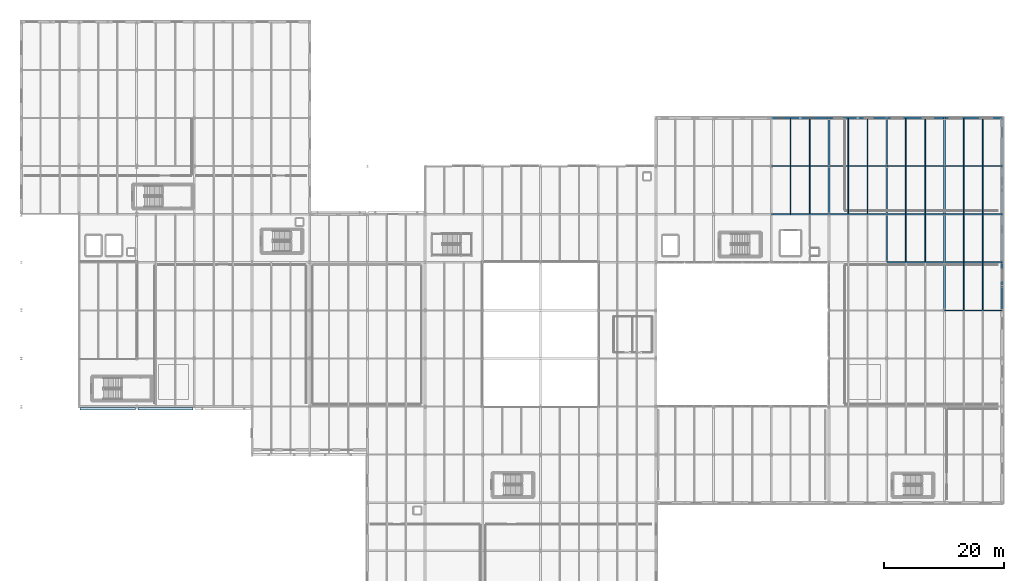
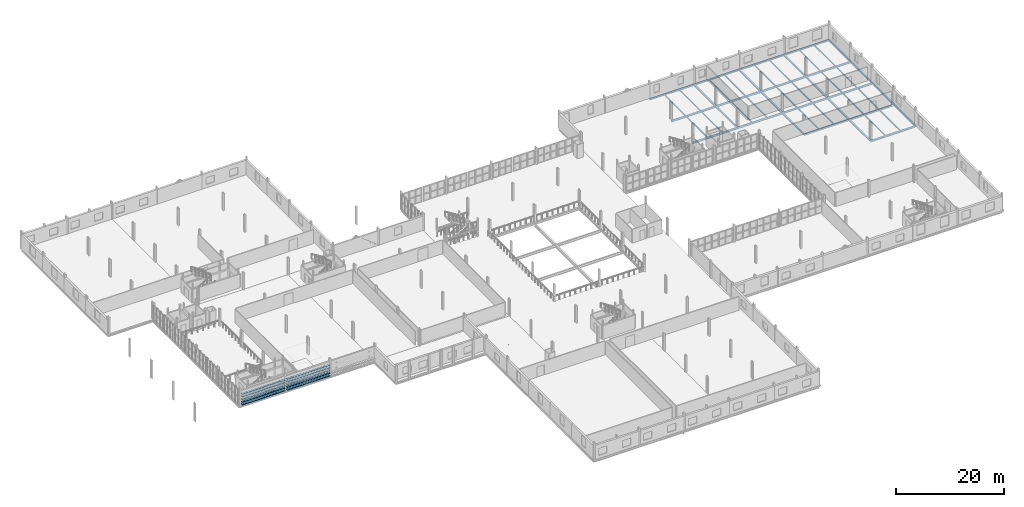
# One storey, part 47 of 78: 50 beams, 10 plates.
"""IFC4 building model written with IfcOpenShell, lengths in metres."""

import ifcopenshell
import ifcopenshell.guid

model = None  # the IFC model being written
_history = None  # IfcOwnerHistory: only IFC2X3 demands one
_inside = {}  # id of a spatial element -> (the spatial element, [elements in it])
_under = {}  # id of a project, library or spatial element -> (it, [spatial elements below it])
_declared = {}  # id of a project -> (the project, [libraries it declares])
_typed = {}  # id of a type object -> (the type object, [elements of that type])
_made_of = {}  # id of a material, layer set ... -> (it, [elements and type objects made of it])


def new_model(schema):
    """Start an empty IFC model of exactly this schema.

    Asked for "IFC4X3", IfcOpenShell would pick the latest addendum, in which some entities
    have other attributes; the version numbers below select the first issue.
    IFC2X3 requires an IfcOwnerHistory on every rooted entity: one is made here for all.
    """
    global model, _history
    if schema == "IFC4X3":
        model = ifcopenshell.file(schema_version=(4, 3, 0, 0))
    else:
        model = ifcopenshell.file(schema=schema)
    _inside.clear()
    _under.clear()
    _declared.clear()
    _typed.clear()
    _made_of.clear()
    _history = None
    if model.schema == "IFC2X3":
        org = make("IfcOrganization", Name="unknown")
        user = make(
            "IfcPersonAndOrganization",
            ThePerson=make("IfcPerson", FamilyName="unknown"),
            TheOrganization=org,
        )
        app = make(
            "IfcApplication",
            ApplicationDeveloper=org,
            Version="unknown",
            ApplicationFullName="unknown",
            ApplicationIdentifier="unknown",
        )
        _history = make(
            "IfcOwnerHistory",
            OwningUser=user,
            OwningApplication=app,
            ChangeAction="ADDED",
            CreationDate=0,
        )
    return model


def make(cls, **values):
    """One entity of the class cls with the attributes given. An attribute that is None is left unset."""
    return model.create_entity(
        cls, **{name: value for name, value in values.items() if value is not None}
    )


def rooted(cls, **values):
    """An entity with a GlobalId (a new one), such as an element, a storey or a relation."""
    return make(cls, GlobalId=ifcopenshell.guid.new(), OwnerHistory=_history, **values)


def si_unit(unit_type, name, prefix=None):
    """IfcSIUnit, for example si_unit("LENGTHUNIT", "METRE", prefix="MILLI")."""
    return make("IfcSIUnit", UnitType=unit_type, Prefix=prefix, Name=name)


def assignment(units):
    """IfcUnitAssignment: the units of a project."""
    return None if units is None else make("IfcUnitAssignment", Units=units)


def point(xyz):
    """IfcCartesianPoint."""
    return None if xyz is None else make("IfcCartesianPoint", Coordinates=xyz)


def direction(xyz):
    """IfcDirection."""
    return None if xyz is None else make("IfcDirection", DirectionRatios=xyz)


def frame(location, z_axis=None, x_axis=None):
    """IfcAxis2Placement3D, a coordinate frame: its origin and axes. An axis left out is left unset."""
    return make(
        "IfcAxis2Placement3D",
        Location=point(location),
        Axis=direction(z_axis),
        RefDirection=direction(x_axis),
    )


def frame_2d(location, x_axis=None):
    """IfcAxis2Placement2D, a coordinate frame in the plane: its origin and x axis."""
    return make(
        "IfcAxis2Placement2D", Location=point(location), RefDirection=direction(x_axis)
    )


def origin():
    """The frame at (0, 0, 0) with its axes left unset."""
    return frame((0.0, 0.0, 0.0))


def origin_2d():
    """The frame at (0, 0) in the plane with its x axis left unset."""
    return frame_2d((0.0, 0.0))


def place(relative_to, where):
    """IfcLocalPlacement: puts the frame where relative to a parent placement (None: the world)."""
    return make(
        "IfcLocalPlacement", PlacementRelTo=relative_to, RelativePlacement=where
    )


def context(
    kind, dimensions, precision=None, world=None, true_north=None, identifier=None
):
    """IfcGeometricRepresentationContext, for example the 3D "Model" context."""
    return make(
        "IfcGeometricRepresentationContext",
        ContextIdentifier=identifier,
        ContextType=kind,
        CoordinateSpaceDimension=dimensions,
        Precision=precision,
        WorldCoordinateSystem=world,
        TrueNorth=true_north,
    )


def subcontext(parent, identifier, kind, view, scale=None):
    """IfcGeometricRepresentationSubContext, for example "Body" below "Model"."""
    return make(
        "IfcGeometricRepresentationSubContext",
        ContextIdentifier=identifier,
        ContextType=kind,
        ParentContext=parent,
        TargetScale=scale,
        TargetView=view,
    )


def project(units=None, contexts=None):
    """IfcProject with its units and contexts."""
    return rooted(
        "IfcProject",
        Name="project",
        RepresentationContexts=contexts,
        UnitsInContext=assignment(units),
    )


def spatial(cls, under=None, at=None, **own):
    """A site, building, storey or space (cls), placed at a placement, below another one or the project."""
    s = rooted(cls, ObjectPlacement=at, **own)
    if under is not None:
        _under.setdefault(under.id(), (under, []))[1].append(s)
    return s


def profile(cls, at=None, kind="AREA", **sizes):
    """A parametric profile (cls). Its sizes go by their IFC names, for example OverallWidth=200.0."""
    return make(cls, ProfileType=kind, Position=at, **sizes)


def rectangle(**sizes):
    """IfcRectangleProfileDef."""
    return profile("IfcRectangleProfileDef", **sizes)


def i_section(**sizes):
    """IfcIShapeProfileDef."""
    return profile("IfcIShapeProfileDef", **sizes)


def extrude(swept, where, along, depth):
    """IfcExtrudedAreaSolid: the profile swept, set in the frame where, extruded along a direction by depth."""
    return make(
        "IfcExtrudedAreaSolid",
        SweptArea=swept,
        Position=where,
        ExtrudedDirection=direction(along),
        Depth=depth,
    )


def shape(context_of_items, identifier, shape_type, items):
    """IfcShapeRepresentation: the items that make up one representation, for example the "Body"."""
    return make(
        "IfcShapeRepresentation",
        ContextOfItems=context_of_items,
        RepresentationIdentifier=identifier,
        RepresentationType=shape_type,
        Items=items,
    )


def material(Name=None, Category=None):
    """IfcMaterial."""
    return make("IfcMaterial", Name=Name, Category=Category)


def layer(
    of_material, thickness, ventilated=None, Name=None, Category=None, Priority=None
):
    """IfcMaterialLayer: one layer of a wall or slab, of a material (None: an air gap)."""
    return make(
        "IfcMaterialLayer",
        Material=of_material,
        LayerThickness=thickness,
        IsVentilated=ventilated,
        Name=Name,
        Category=Category,
        Priority=Priority,
    )


def layer_set(layers, Name=None):
    """IfcMaterialLayerSet."""
    return make("IfcMaterialLayerSet", MaterialLayers=layers, LayerSetName=Name)


def material_profile(
    of_material, cross_section, Name=None, Category=None, Priority=None
):
    """IfcMaterialProfile: a cross section and its material."""
    return make(
        "IfcMaterialProfile",
        Name=Name,
        Material=of_material,
        Profile=cross_section,
        Priority=Priority,
        Category=Category,
    )


def profile_set(profiles, Name=None, composite=None):
    """IfcMaterialProfileSet."""
    return make(
        "IfcMaterialProfileSet",
        Name=Name,
        MaterialProfiles=profiles,
        CompositeProfile=composite,
    )


def made_of(thing, what):
    """Note that an element or type object is made of a material, layer set ...; save() writes the relation."""
    if what is not None:
        _made_of.setdefault(what.id(), (what, []))[1].append(thing)
    return thing


def type_object(cls, material=None, **own):
    """A type object (cls), such as IfcWallType, which elements share."""
    return made_of(rooted(cls, **own), material)


def element(
    cls,
    number,
    at=None,
    inside=None,
    cuts=None,
    type_object=None,
    material=None,
    context=None,
    identifier="Body",
    shape_type=None,
    held_by="IfcProductDefinitionShape",
    body=None,
    shapes=None,
    **own,
):
    """One element of the class cls, such as IfcWall. Its Tag is "e" and its number.

    at: its placement. inside: the storey or other place that contains it. cuts: it is an
    opening in that element (IfcRelVoidsElement). A single representation is given by context,
    identifier, shape_type and body (its items); several are given by shapes. held_by: the class
    of the entity that holds the representations. save() writes the other relations.
    """
    e = rooted(cls, Tag="e%d" % number, ObjectPlacement=at, **own)
    if body is not None:
        shapes = [shape(context, identifier, shape_type, body)]
    if shapes is not None:
        e.Representation = make(held_by, Representations=shapes)
    if inside is not None:
        _inside.setdefault(inside.id(), (inside, []))[1].append(e)
    if cuts is not None:
        rooted(
            "IfcRelVoidsElement", RelatingBuildingElement=cuts, RelatedOpeningElement=e
        )
    if type_object is not None:
        _typed.setdefault(type_object.id(), (type_object, []))[1].append(e)
    return made_of(e, material)


def aggregate(whole, parts):
    """IfcRelAggregates: a whole, such as a stair, and the parts it consists of."""
    return rooted("IfcRelAggregates", RelatingObject=whole, RelatedObjects=parts)


def save(model, path):
    """Write the relations noted so far, then the file.

    IfcRelAggregates (storeys below a building ...), IfcRelContainedInSpatialStructure (elements
    in a storey), IfcRelDefinesByType, IfcRelAssociatesMaterial and IfcRelDeclares: one each for
    every whole, place, type object, material and project.
    """
    for whole, parts in _under.values():
        aggregate(whole, parts)
    for where, things in _inside.values():
        rooted(
            "IfcRelContainedInSpatialStructure",
            RelatedElements=things,
            RelatingStructure=where,
        )
    for kind, things in _typed.values():
        rooted("IfcRelDefinesByType", RelatedObjects=things, RelatingType=kind)
    for what, things in _made_of.values():
        rooted("IfcRelAssociatesMaterial", RelatedObjects=things, RelatingMaterial=what)
    for by, libraries in _declared.values():
        rooted("IfcRelDeclares", RelatingContext=by, RelatedDefinitions=libraries)
    model.write(path)


model = new_model("IFC4")

# Units and contexts
model_context = context("Model", 3, precision=1e-05, world=origin(), true_north=direction((0.0, 1.0)))
body_context = subcontext(model_context, "Body", "Model", "MODEL_VIEW")
ifc_project = project(units=[si_unit("LENGTHUNIT", "METRE"), si_unit("AREAUNIT", "SQUARE_METRE"), si_unit("VOLUMEUNIT", "CUBIC_METRE"), si_unit("PLANEANGLEUNIT", "RADIAN"), si_unit("MASSUNIT", "GRAM", prefix="KILO")], contexts=[model_context])

# Site, building, storey
site_placement = place(None, origin())
site = spatial("IfcSite", under=ifc_project, at=site_placement, CompositionType="ELEMENT")
building_placement = place(site_placement, origin())
building = spatial("IfcBuilding", under=site, at=building_placement, Name="Alderhovde Museum", CompositionType="ELEMENT")
storey_placement = place(building_placement, frame((0.0, 0.0, 4.5)))
storey = spatial("IfcBuildingStorey", under=building, at=storey_placement, Name="L01", CompositionType="ELEMENT", Elevation=4.5)

# Beams
ifc_material_1 = material(Name="Steel S355J2", Category="steel")
ifc_material_profile_1 = material_profile(ifc_material_1, i_section(OverallWidth=0.300048828125, OverallDepth=0.330078125, WebThickness=0.009521484375, FlangeThickness=0.0166015625, FilletRadius=0.027099609375, at=origin_2d()), Name="HEA 340")
ifc_profile_set_1 = profile_set([ifc_material_profile_1], Name="Steel S355J2")
beam_type_1 = type_object("IfcBeamType", Name="BM-HEA340", PredefinedType="BEAM", material=ifc_profile_set_1)
for number, where, z_axis, x_axis, name in (
    (1, (144.0, 80.0, -0.425048828125), (0.0, 1.0, 0.0), (-1.0, 0.0, 0.0), "L01 Grid Beam X=144.0 (80.0 TO 88.0)"),
    (2, (144.0, 88.0, -0.425048828125), (0.0, 1.0, 0.0), (-1.0, 0.0, 0.0), "L01 Grid Beam X=144.0 (88.0 TO 96.0)"),
    (3, (153.60009765625, 72.0, -0.425048828125), (0.0, 1.0, 0.0), (-1.0, 0.0, 0.0), "L01 Grid Beam X=153.6 (72.0 TO 80.0)"),
    (4, (153.60009765625, 80.0, -0.425048828125), (0.0, 1.0, 0.0), (-1.0, 0.0, 0.0), "L01 Grid Beam X=153.6 (80.0 TO 88.0)"),
    (5, (153.60009765625, 88.0, -0.425048828125), (0.0, 1.0, 0.0), (-1.0, 0.0, 0.0), "L01 Grid Beam X=153.6 (88.0 TO 96.0)"),
    (6, (163.199951171875, 64.0, -0.425048828125), (0.0, 1.0, 0.0), (-1.0, 0.0, 0.0), "L01 Grid Beam X=163.2 (64.0 TO 72.0)"),
    (7, (163.199951171875, 72.0, -0.425048828125), (0.0, 1.0, 0.0), (-1.0, 0.0, 0.0), "L01 Grid Beam X=163.2 (72.0 TO 80.0)"),
    (8, (163.199951171875, 80.0, -0.425048828125), (0.0, 1.0, 0.0), (-1.0, 0.0, 0.0), "L01 Grid Beam X=163.2 (80.0 TO 88.0)"),
    (9, (163.199951171875, 88.0, -0.425048828125), (0.0, 1.0, 0.0), (-1.0, 0.0, 0.0), "L01 Grid Beam X=163.2 (88.0 TO 96.0)"),
    (10, (172.800048828125, 64.0, -0.425048828125), (0.0, 1.0, 0.0), (-1.0, 0.0, 0.0), "L01 Grid Beam X=172.8 (64.0 TO 72.0)"),
    (11, (172.800048828125, 72.0, -0.425048828125), (0.0, 1.0, 0.0), (-1.0, 0.0, 0.0), "L01 Grid Beam X=172.8 (72.0 TO 80.0)"),
    (12, (172.800048828125, 80.0, -0.425048828125), (0.0, 1.0, 0.0), (-1.0, 0.0, 0.0), "L01 Grid Beam X=172.8 (80.0 TO 88.0)"),
    (13, (172.800048828125, 88.0, -0.425048828125), (0.0, 1.0, 0.0), (-1.0, 0.0, 0.0), "L01 Grid Beam X=172.8 (88.0 TO 96.0)"),
):
    element("IfcBeam", number, at=place(storey_placement, frame(where, z_axis=z_axis, x_axis=x_axis)), inside=storey, type_object=beam_type_1, Name=name, PredefinedType="BEAM", context=body_context, shape_type="SweptSolid", body=[
        extrude(i_section(OverallWidth=0.300048828125, OverallDepth=0.330078125, WebThickness=0.009521484375, FlangeThickness=0.0166015625, FilletRadius=0.027099609375, at=origin_2d()), origin(), (0.0, 0.0, 1.0), 8.0),
    ])
ifc_material_2 = material(Name="Steel S355J2", Category="steel")
ifc_material_profile_2 = material_profile(ifc_material_2, i_section(OverallWidth=0.18994140625, OverallDepth=0.449951171875, WebThickness=0.009521484375, FlangeThickness=0.0146484375, FilletRadius=0.02099609375, at=origin_2d()), Name="IPE 450")
ifc_profile_set_2 = profile_set([ifc_material_profile_2], Name="Steel S355J2")
beam_type_2 = type_object("IfcBeamType", Name="BM-IPE450", PredefinedType="BEAM", material=ifc_profile_set_2)
beam_1_placement = place(storey_placement, frame((163.199951171875, 64.0, -0.485107421875), z_axis=(1.0, 0.0, 0.0), x_axis=(0.0, 1.0, 0.0)))
element("IfcBeam", 14, at=beam_1_placement, inside=storey, type_object=beam_type_2, Name="L01 Grid Beam Y=64.0 (163.2 TO 172.8)", PredefinedType="BEAM", context=body_context, shape_type="SweptSolid", body=[
    extrude(i_section(OverallWidth=0.18994140625, OverallDepth=0.449951171875, WebThickness=0.009521484375, FlangeThickness=0.0146484375, FilletRadius=0.02099609375, at=origin_2d()), origin(), (0.0, 0.0, 1.0), 9.60009765625),
])
beam_2_placement = place(storey_placement, frame((153.60009765625, 72.0, -0.485107421875), z_axis=(1.0, 0.0, 0.0), x_axis=(0.0, 1.0, 0.0)))
element("IfcBeam", 15, at=beam_2_placement, inside=storey, type_object=beam_type_2, Name="L01 Grid Beam Y=72.0 (153.6 TO 163.2)", PredefinedType="BEAM", context=body_context, shape_type="SweptSolid", body=[
    extrude(i_section(OverallWidth=0.18994140625, OverallDepth=0.449951171875, WebThickness=0.009521484375, FlangeThickness=0.0146484375, FilletRadius=0.02099609375, at=origin_2d()), origin(), (0.0, 0.0, 1.0), 9.599853515625),
])
for number, where, z_axis, x_axis, name in (
    (16, (163.199951171875, 72.0, -0.485107421875), (1.0, 0.0, 0.0), (0.0, 1.0, 0.0), "L01 Grid Beam Y=72.0 (163.2 TO 172.8)"),
    (17, (134.39990234375, 80.0, -0.485107421875), (1.0, 0.0, 0.0), (0.0, 1.0, 0.0), "L01 Grid Beam Y=80.0 (134.4 TO 144.0)"),
    (18, (144.0, 80.0, -0.485107421875), (1.0, 0.0, 0.0), (0.0, 1.0, 0.0), "L01 Grid Beam Y=80.0 (144.0 TO 153.6)"),
):
    element("IfcBeam", number, at=place(storey_placement, frame(where, z_axis=z_axis, x_axis=x_axis)), inside=storey, type_object=beam_type_2, Name=name, PredefinedType="BEAM", context=body_context, shape_type="SweptSolid", body=[
        extrude(i_section(OverallWidth=0.18994140625, OverallDepth=0.449951171875, WebThickness=0.009521484375, FlangeThickness=0.0146484375, FilletRadius=0.02099609375, at=origin_2d()), origin(), (0.0, 0.0, 1.0), 9.60009765625),
    ])
beam_3_placement = place(storey_placement, frame((153.60009765625, 80.0, -0.485107421875), z_axis=(1.0, 0.0, 0.0), x_axis=(0.0, 1.0, 0.0)))
element("IfcBeam", 19, at=beam_3_placement, inside=storey, type_object=beam_type_2, Name="L01 Grid Beam Y=80.0 (153.6 TO 163.2)", PredefinedType="BEAM", context=body_context, shape_type="SweptSolid", body=[
    extrude(i_section(OverallWidth=0.18994140625, OverallDepth=0.449951171875, WebThickness=0.009521484375, FlangeThickness=0.0146484375, FilletRadius=0.02099609375, at=origin_2d()), origin(), (0.0, 0.0, 1.0), 9.599853515625),
])
for number, where, z_axis, x_axis, name in (
    (20, (163.199951171875, 80.0, -0.485107421875), (1.0, 0.0, 0.0), (0.0, 1.0, 0.0), "L01 Grid Beam Y=80.0 (163.2 TO 172.8)"),
    (21, (134.39990234375, 88.0, -0.485107421875), (1.0, 0.0, 0.0), (0.0, 1.0, 0.0), "L01 Grid Beam Y=88.0 (134.4 TO 144.0)"),
    (22, (144.0, 88.0, -0.485107421875), (1.0, 0.0, 0.0), (0.0, 1.0, 0.0), "L01 Grid Beam Y=88.0 (144.0 TO 153.6)"),
):
    element("IfcBeam", number, at=place(storey_placement, frame(where, z_axis=z_axis, x_axis=x_axis)), inside=storey, type_object=beam_type_2, Name=name, PredefinedType="BEAM", context=body_context, shape_type="SweptSolid", body=[
        extrude(i_section(OverallWidth=0.18994140625, OverallDepth=0.449951171875, WebThickness=0.009521484375, FlangeThickness=0.0146484375, FilletRadius=0.02099609375, at=origin_2d()), origin(), (0.0, 0.0, 1.0), 9.60009765625),
    ])
beam_4_placement = place(storey_placement, frame((153.60009765625, 88.0, -0.485107421875), z_axis=(1.0, 0.0, 0.0), x_axis=(0.0, 1.0, 0.0)))
element("IfcBeam", 23, at=beam_4_placement, inside=storey, type_object=beam_type_2, Name="L01 Grid Beam Y=88.0 (153.6 TO 163.2)", PredefinedType="BEAM", context=body_context, shape_type="SweptSolid", body=[
    extrude(i_section(OverallWidth=0.18994140625, OverallDepth=0.449951171875, WebThickness=0.009521484375, FlangeThickness=0.0146484375, FilletRadius=0.02099609375, at=origin_2d()), origin(), (0.0, 0.0, 1.0), 9.599853515625),
])
beam_5_placement = place(storey_placement, frame((163.199951171875, 88.0, -0.485107421875), z_axis=(1.0, 0.0, 0.0), x_axis=(0.0, 1.0, 0.0)))
element("IfcBeam", 24, at=beam_5_placement, inside=storey, type_object=beam_type_2, Name="L01 Grid Beam Y=88.0 (163.2 TO 172.8)", PredefinedType="BEAM", context=body_context, shape_type="SweptSolid", body=[
    extrude(i_section(OverallWidth=0.18994140625, OverallDepth=0.449951171875, WebThickness=0.009521484375, FlangeThickness=0.0146484375, FilletRadius=0.02099609375, at=origin_2d()), origin(), (0.0, 0.0, 1.0), 9.60009765625),
])
ifc_material_3 = material(Name="Steel S355J2", Category="steel")
ifc_material_profile_3 = material_profile(ifc_material_3, i_section(OverallWidth=0.14990234375, OverallDepth=0.300048828125, WebThickness=0.007080078125, FlangeThickness=0.0107421875, FilletRadius=0.014892578125, at=origin_2d()), Name="IPE 300")
ifc_profile_set_3 = profile_set([ifc_material_profile_3], Name="Steel S355J2")
beam_type_3 = type_object("IfcBeamType", Name="JST-IPE300", PredefinedType="JOIST", material=ifc_profile_set_3)
for number, where, z_axis, x_axis, name in (
    (25, (137.60009765625, 80.094970703125, -0.409912109375), (0.0, 1.0, 0.0), (-1.0, 0.0, 0.0), "L01 Composite Joist X=137.6 (80.0 TO 88.0)"),
    (26, (140.800048828125, 80.094970703125, -0.409912109375), (0.0, 1.0, 0.0), (-1.0, 0.0, 0.0), "L01 Composite Joist X=140.8 (80.0 TO 88.0)"),
):
    element("IfcBeam", number, at=place(storey_placement, frame(where, z_axis=z_axis, x_axis=x_axis)), inside=storey, type_object=beam_type_3, Name=name, PredefinedType="JOIST", context=body_context, shape_type="SweptSolid", body=[
        extrude(i_section(OverallWidth=0.14990234375, OverallDepth=0.300048828125, WebThickness=0.007080078125, FlangeThickness=0.0107421875, FilletRadius=0.014892578125, at=origin_2d()), origin(), (0.0, 0.0, 1.0), 7.81005859375),
    ])
for number, where, z_axis, x_axis, name in (
    (27, (137.60009765625, 88.094970703125, -0.409912109375), (0.0, 1.0, 0.0), (-1.0, 0.0, 0.0), "L01 Composite Joist X=137.6 (88.0 TO 96.0)"),
    (28, (140.800048828125, 88.094970703125, -0.409912109375), (0.0, 1.0, 0.0), (-1.0, 0.0, 0.0), "L01 Composite Joist X=140.8 (88.0 TO 96.0)"),
):
    element("IfcBeam", number, at=place(storey_placement, frame(where, z_axis=z_axis, x_axis=x_axis)), inside=storey, type_object=beam_type_3, Name=name, PredefinedType="JOIST", context=body_context, shape_type="SweptSolid", body=[
        extrude(i_section(OverallWidth=0.14990234375, OverallDepth=0.300048828125, WebThickness=0.007080078125, FlangeThickness=0.0107421875, FilletRadius=0.014892578125, at=origin_2d()), origin(), (0.0, 0.0, 1.0), 7.755126953125),
    ])
for number, where, z_axis, x_axis, name in (
    (29, (147.199951171875, 80.094970703125, -0.409912109375), (0.0, 1.0, 0.0), (-1.0, 0.0, 0.0), "L01 Composite Joist X=147.2 (80.0 TO 88.0)"),
    (30, (150.39990234375, 80.094970703125, -0.409912109375), (0.0, 1.0, 0.0), (-1.0, 0.0, 0.0), "L01 Composite Joist X=150.4 (80.0 TO 88.0)"),
):
    element("IfcBeam", number, at=place(storey_placement, frame(where, z_axis=z_axis, x_axis=x_axis)), inside=storey, type_object=beam_type_3, Name=name, PredefinedType="JOIST", context=body_context, shape_type="SweptSolid", body=[
        extrude(i_section(OverallWidth=0.14990234375, OverallDepth=0.300048828125, WebThickness=0.007080078125, FlangeThickness=0.0107421875, FilletRadius=0.014892578125, at=origin_2d()), origin(), (0.0, 0.0, 1.0), 7.81005859375),
    ])
for number, where, z_axis, x_axis, name in (
    (31, (147.199951171875, 88.094970703125, -0.409912109375), (0.0, 1.0, 0.0), (-1.0, 0.0, 0.0), "L01 Composite Joist X=147.2 (88.0 TO 96.0)"),
    (32, (150.39990234375, 88.094970703125, -0.409912109375), (0.0, 1.0, 0.0), (-1.0, 0.0, 0.0), "L01 Composite Joist X=150.4 (88.0 TO 96.0)"),
):
    element("IfcBeam", number, at=place(storey_placement, frame(where, z_axis=z_axis, x_axis=x_axis)), inside=storey, type_object=beam_type_3, Name=name, PredefinedType="JOIST", context=body_context, shape_type="SweptSolid", body=[
        extrude(i_section(OverallWidth=0.14990234375, OverallDepth=0.300048828125, WebThickness=0.007080078125, FlangeThickness=0.0107421875, FilletRadius=0.014892578125, at=origin_2d()), origin(), (0.0, 0.0, 1.0), 7.755126953125),
    ])
for number, where, z_axis, x_axis, name in (
    (33, (156.800048828125, 72.094970703125, -0.409912109375), (0.0, 1.0, 0.0), (-1.0, 0.0, 0.0), "L01 Composite Joist X=156.8 (72.0 TO 80.0)"),
    (34, (160.0, 72.094970703125, -0.409912109375), (0.0, 1.0, 0.0), (-1.0, 0.0, 0.0), "L01 Composite Joist X=160.0 (72.0 TO 80.0)"),
    (35, (156.800048828125, 80.094970703125, -0.409912109375), (0.0, 1.0, 0.0), (-1.0, 0.0, 0.0), "L01 Composite Joist X=156.8 (80.0 TO 88.0)"),
    (36, (160.0, 80.094970703125, -0.409912109375), (0.0, 1.0, 0.0), (-1.0, 0.0, 0.0), "L01 Composite Joist X=160.0 (80.0 TO 88.0)"),
):
    element("IfcBeam", number, at=place(storey_placement, frame(where, z_axis=z_axis, x_axis=x_axis)), inside=storey, type_object=beam_type_3, Name=name, PredefinedType="JOIST", context=body_context, shape_type="SweptSolid", body=[
        extrude(i_section(OverallWidth=0.14990234375, OverallDepth=0.300048828125, WebThickness=0.007080078125, FlangeThickness=0.0107421875, FilletRadius=0.014892578125, at=origin_2d()), origin(), (0.0, 0.0, 1.0), 7.81005859375),
    ])
for number, where, z_axis, x_axis, name in (
    (37, (156.800048828125, 88.094970703125, -0.409912109375), (0.0, 1.0, 0.0), (-1.0, 0.0, 0.0), "L01 Composite Joist X=156.8 (88.0 TO 96.0)"),
    (38, (160.0, 88.094970703125, -0.409912109375), (0.0, 1.0, 0.0), (-1.0, 0.0, 0.0), "L01 Composite Joist X=160.0 (88.0 TO 96.0)"),
):
    element("IfcBeam", number, at=place(storey_placement, frame(where, z_axis=z_axis, x_axis=x_axis)), inside=storey, type_object=beam_type_3, Name=name, PredefinedType="JOIST", context=body_context, shape_type="SweptSolid", body=[
        extrude(i_section(OverallWidth=0.14990234375, OverallDepth=0.300048828125, WebThickness=0.007080078125, FlangeThickness=0.0107421875, FilletRadius=0.014892578125, at=origin_2d()), origin(), (0.0, 0.0, 1.0), 7.755126953125),
    ])
for number, where, z_axis, x_axis, name in (
    (39, (166.39990234375, 64.094970703125, -0.409912109375), (0.0, 1.0, 0.0), (-1.0, 0.0, 0.0), "L01 Composite Joist X=166.4 (64.0 TO 72.0)"),
    (40, (169.60009765625, 64.094970703125, -0.409912109375), (0.0, 1.0, 0.0), (-1.0, 0.0, 0.0), "L01 Composite Joist X=169.6 (64.0 TO 72.0)"),
    (41, (166.39990234375, 72.094970703125, -0.409912109375), (0.0, 1.0, 0.0), (-1.0, 0.0, 0.0), "L01 Composite Joist X=166.4 (72.0 TO 80.0)"),
    (42, (169.60009765625, 72.094970703125, -0.409912109375), (0.0, 1.0, 0.0), (-1.0, 0.0, 0.0), "L01 Composite Joist X=169.6 (72.0 TO 80.0)"),
    (43, (166.39990234375, 80.094970703125, -0.409912109375), (0.0, 1.0, 0.0), (-1.0, 0.0, 0.0), "L01 Composite Joist X=166.4 (80.0 TO 88.0)"),
    (44, (169.60009765625, 80.094970703125, -0.409912109375), (0.0, 1.0, 0.0), (-1.0, 0.0, 0.0), "L01 Composite Joist X=169.6 (80.0 TO 88.0)"),
):
    element("IfcBeam", number, at=place(storey_placement, frame(where, z_axis=z_axis, x_axis=x_axis)), inside=storey, type_object=beam_type_3, Name=name, PredefinedType="JOIST", context=body_context, shape_type="SweptSolid", body=[
        extrude(i_section(OverallWidth=0.14990234375, OverallDepth=0.300048828125, WebThickness=0.007080078125, FlangeThickness=0.0107421875, FilletRadius=0.014892578125, at=origin_2d()), origin(), (0.0, 0.0, 1.0), 7.81005859375),
    ])
for number, where, z_axis, x_axis, name in (
    (45, (166.39990234375, 88.094970703125, -0.409912109375), (0.0, 1.0, 0.0), (-1.0, 0.0, 0.0), "L01 Composite Joist X=166.4 (88.0 TO 96.0)"),
    (46, (169.60009765625, 88.094970703125, -0.409912109375), (0.0, 1.0, 0.0), (-1.0, 0.0, 0.0), "L01 Composite Joist X=169.6 (88.0 TO 96.0)"),
):
    element("IfcBeam", number, at=place(storey_placement, frame(where, z_axis=z_axis, x_axis=x_axis)), inside=storey, type_object=beam_type_3, Name=name, PredefinedType="JOIST", context=body_context, shape_type="SweptSolid", body=[
        extrude(i_section(OverallWidth=0.14990234375, OverallDepth=0.300048828125, WebThickness=0.007080078125, FlangeThickness=0.0107421875, FilletRadius=0.014892578125, at=origin_2d()), origin(), (0.0, 0.0, 1.0), 7.755126953125),
    ])
ifc_material_4 = material(Name="Steel S355J2", Category="steel")
ifc_material_profile_4 = material_profile(ifc_material_4, i_section(OverallWidth=0.300048828125, OverallDepth=0.2900390625, WebThickness=0.008544921875, FlangeThickness=0.013916015625, FilletRadius=0.027099609375, at=origin_2d()), Name="HEA 300")
ifc_profile_set_4 = profile_set([ifc_material_profile_4], Name="Steel S355J2")
beam_type_4 = type_object("IfcBeamType", Name="SPD-HEA300", PredefinedType="SPANDREL", material=ifc_profile_set_4)
for number, where, z_axis, x_axis, name in (
    (47, (134.39990234375, 96.0, -0.405029296875), (1.0, 0.0, 0.0), (0.0, 1.0, 0.0), "L01 Grid Beam Y=96.0 (134.4 TO 144.0)"),
    (48, (144.0, 96.0, -0.405029296875), (1.0, 0.0, 0.0), (0.0, 1.0, 0.0), "L01 Grid Beam Y=96.0 (144.0 TO 153.6)"),
):
    element("IfcBeam", number, at=place(storey_placement, frame(where, z_axis=z_axis, x_axis=x_axis)), inside=storey, type_object=beam_type_4, Name=name, PredefinedType="SPANDREL", context=body_context, shape_type="SweptSolid", body=[
        extrude(i_section(OverallWidth=0.300048828125, OverallDepth=0.2900390625, WebThickness=0.008544921875, FlangeThickness=0.013916015625, FilletRadius=0.027099609375, at=origin_2d()), origin(), (0.0, 0.0, 1.0), 9.60009765625),
    ])
beam_6_placement = place(storey_placement, frame((153.60009765625, 96.0, -0.405029296875), z_axis=(1.0, 0.0, 0.0), x_axis=(0.0, 1.0, 0.0)))
element("IfcBeam", 49, at=beam_6_placement, inside=storey, type_object=beam_type_4, Name="L01 Grid Beam Y=96.0 (153.6 TO 163.2)", PredefinedType="SPANDREL", context=body_context, shape_type="SweptSolid", body=[
    extrude(i_section(OverallWidth=0.300048828125, OverallDepth=0.2900390625, WebThickness=0.008544921875, FlangeThickness=0.013916015625, FilletRadius=0.027099609375, at=origin_2d()), origin(), (0.0, 0.0, 1.0), 9.599853515625),
])
beam_7_placement = place(storey_placement, frame((163.199951171875, 96.0, -0.405029296875), z_axis=(1.0, 0.0, 0.0), x_axis=(0.0, 1.0, 0.0)))
element("IfcBeam", 50, at=beam_7_placement, inside=storey, type_object=beam_type_4, Name="L01 Grid Beam Y=96.0 (163.2 TO 172.8)", PredefinedType="SPANDREL", context=body_context, shape_type="SweptSolid", body=[
    extrude(i_section(OverallWidth=0.300048828125, OverallDepth=0.2900390625, WebThickness=0.008544921875, FlangeThickness=0.013916015625, FilletRadius=0.027099609375, at=origin_2d()), origin(), (0.0, 0.0, 1.0), 9.60009765625),
])

# Plates
ifc_material_5 = material(Name="Bronze-Anodised Aluminium EN AW-6063-T6", Category="aluminium")
ifc_layer = layer(ifc_material_5, 0.06494140625)
ifc_layer_set = layer_set([ifc_layer], Name="Bronze-Anodised Aluminium EN AW-6063-T6")
plate_type = type_object("IfcPlateType", Name="LV-BLADE-450", PredefinedType="USERDEFINED", material=ifc_layer_set)
for number, where, z_axis, x_axis, name in (
    (51, (24.0, 47.64501953125, 0.267578125), (0.0, 0.0, 1.0), (1.0, 0.0, 0.0), "L01 Wrap-Around Horizontal Louvre 37"),
    (52, (24.0, 47.64501953125, 0.867431640625), (0.0, 0.0, 1.0), (1.0, 0.0, 0.0), "L01 Wrap-Around Horizontal Louvre 38"),
    (53, (24.0, 47.64501953125, 1.467529296875), (0.0, 0.0, 1.0), (1.0, 0.0, 0.0), "L01 Wrap-Around Horizontal Louvre 39"),
    (54, (24.0, 47.64501953125, 2.067626953125), (0.0, 0.0, 1.0), (1.0, 0.0, 0.0), "L01 Wrap-Around Horizontal Louvre 40"),
    (55, (24.0, 47.64501953125, 2.66748046875), (0.0, 0.0, 1.0), (1.0, 0.0, 0.0), "L01 Wrap-Around Horizontal Louvre 41"),
    (56, (33.60009765625, 47.64501953125, 0.267578125), (0.0, 0.0, 1.0), (1.0, 0.0, 0.0), "L01 Wrap-Around Horizontal Louvre 42"),
    (57, (33.60009765625, 47.64501953125, 0.867431640625), (0.0, 0.0, 1.0), (1.0, 0.0, 0.0), "L01 Wrap-Around Horizontal Louvre 43"),
    (58, (33.60009765625, 47.64501953125, 1.467529296875), (0.0, 0.0, 1.0), (1.0, 0.0, 0.0), "L01 Wrap-Around Horizontal Louvre 44"),
    (59, (33.60009765625, 47.64501953125, 2.067626953125), (0.0, 0.0, 1.0), (1.0, 0.0, 0.0), "L01 Wrap-Around Horizontal Louvre 45"),
    (60, (33.60009765625, 47.64501953125, 2.66748046875), (0.0, 0.0, 1.0), (1.0, 0.0, 0.0), "L01 Wrap-Around Horizontal Louvre 46"),
):
    element("IfcPlate", number, at=place(storey_placement, frame(where, z_axis=z_axis, x_axis=x_axis)), inside=storey, type_object=plate_type, Name=name, ObjectType="LOUVRE BLADE", PredefinedType="USERDEFINED", context=body_context, shape_type="SweptSolid", body=[
        extrude(rectangle(XDim=9.199951171875, YDim=0.449951171875, at=origin_2d()), origin(), (0.0, 0.0, 1.0), 0.06494140625),
    ])

save(model, "model.ifc")
